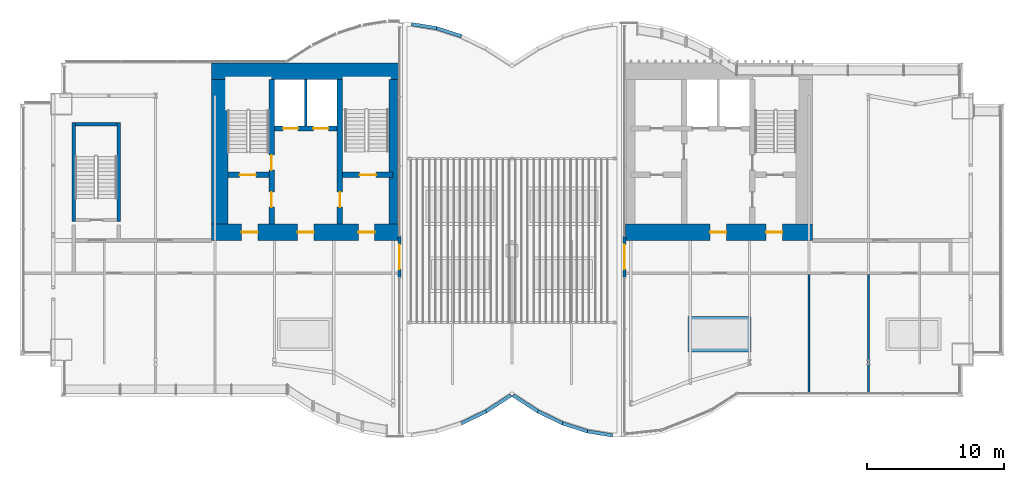
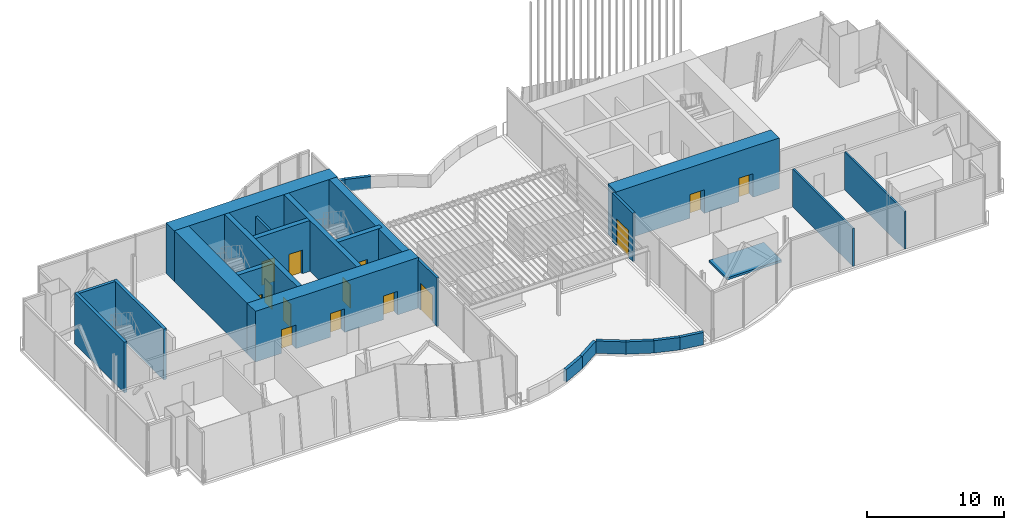
# One storey, part 12 of 18: 27 walls, 14 doors, 14 openings.
"""IFC4 building model written with IfcOpenShell, lengths in metres."""

from ifc_helpers import new_model, si_unit, direction, frame, frame_2d, origin, origin_2d, place, context, subcontext, project, spatial, rectangle, extrude, material, layer, layer_set, layer_usage, type_object, element, fill, save


model = new_model("IFC4")

# Units and contexts
model_context = context("Model", 3, precision=1e-05, world=origin(), true_north=direction((0.0, 1.0)))
body_context = subcontext(model_context, "Body", "Model", "MODEL_VIEW")
ifc_project = project(units=[si_unit("LENGTHUNIT", "METRE"), si_unit("AREAUNIT", "SQUARE_METRE"), si_unit("VOLUMEUNIT", "CUBIC_METRE"), si_unit("PLANEANGLEUNIT", "RADIAN"), si_unit("MASSUNIT", "GRAM", prefix="KILO")], contexts=[model_context])

# Site, building, storey
site_placement = place(None, origin())
site = spatial("IfcSite", under=ifc_project, at=site_placement, CompositionType="ELEMENT")
building_placement = place(site_placement, origin())
building = spatial("IfcBuilding", under=site, at=building_placement, Name="Bicima Exchange Tower", CompositionType="ELEMENT")
storey_placement = place(building_placement, frame((0.0, 0.0, 347.89990234375)))
storey = spatial("IfcBuildingStorey", under=building, at=storey_placement, Name="L78", CompositionType="ELEMENT", Elevation=347.89990234375)

# Wall, opening, door
ifc_material_1 = material(Name="Concrete C40/50", Category="concrete")
ifc_layer_1 = layer(ifc_material_1, 0.2)
ifc_layer_set_1 = layer_set([ifc_layer_1], Name="Concrete C40/50")
ifc_layer_usage_1 = layer_usage(ifc_layer_set_1, "AXIS2", "POSITIVE", -0.1)
wall_type_1 = type_object("IfcWallType", Name="Entrance frame wall 200", PredefinedType="STANDARD", material=ifc_layer_set_1)
wall_1_placement = place(storey_placement, frame((-8.22998046875, -12.699951171875, 0.0), z_axis=(0.0, 0.0, 1.0), x_axis=(0.0, -1.0, 0.0)))
wall_1 = element("IfcWall", 1, at=wall_1_placement, inside=storey, type_object=wall_type_1, material=ifc_layer_usage_1, Name="Roof terrace door frame wall L78", PredefinedType="STANDARD", context=body_context, shape_type="SweptSolid", body=[
    extrude(rectangle(XDim=3.0, YDim=0.199951171875, at=frame_2d((1.5, 0.0))), origin(), (0.0, 0.0, 1.0), 4.300048828125),
])
opening_1_placement = place(wall_1_placement, frame((0.60009765625, 0.0, 0.0)))
opening_1 = element("IfcOpeningElement", 2, at=opening_1_placement, cuts=wall_1, Name="Opening DX4", PredefinedType="OPENING", context=body_context, shape_type="SweptSolid", body=[
    extrude(rectangle(XDim=1.800048828125, YDim=2.39990234375, at=frame_2d((0.89990234375, 1.199951171875))), frame((0.0, 0.11181640625, 0.0), z_axis=(0.0, -1.0, 0.0), x_axis=(1.0, 0.0, 0.0)), (0.0, 0.0, 1.0), 0.223876953125),
])
ifc_material_2 = material(Name="Anodised bronze aluminium and bonded safety glass", Category="aluminium")
door_type_1 = type_object("IfcDoorType", Name="Roof terrace door, double leaf 1800 x 2400", OperationType="DOUBLE_DOOR_DOUBLE_SWING", PredefinedType="DOOR", material=ifc_material_2)
door_1_placement = place(opening_1_placement, origin())
door_1 = element("IfcDoor", 3, at=door_1_placement, inside=storey, type_object=door_type_1, Name="Roof terrace door door L78", OperationType="SINGLE_SWING_LEFT", OverallHeight=2.39990234375, OverallWidth=1.800048828125, PredefinedType="DOOR", context=body_context, shape_type="SweptSolid", body=[
    extrude(rectangle(XDim=1.800048828125, YDim=2.39990234375, at=frame_2d((0.89990234375, 1.199951171875))), frame((0.0, 0.02490234375, 0.0), z_axis=(0.0, -1.0, 0.0), x_axis=(1.0, 0.0, 0.0)), (0.0, 0.0, 1.0), 0.050048828125),
])
fill(opening_1, door_1)

wall_2_placement = place(storey_placement, frame((8.22998046875, -15.699951171875, 0.0), z_axis=(0.0, 0.0, 1.0), x_axis=(0.0, 1.0, 0.0)))
wall_2 = element("IfcWall", 4, at=wall_2_placement, inside=storey, type_object=wall_type_1, material=ifc_layer_usage_1, Name="Roof terrace door frame wall L78", PredefinedType="STANDARD", context=body_context, shape_type="SweptSolid", body=[
    extrude(rectangle(XDim=3.0, YDim=0.199951171875, at=frame_2d((1.5, 0.0))), origin(), (0.0, 0.0, 1.0), 4.300048828125),
])
opening_2_placement = place(wall_2_placement, frame((0.60009765625, 0.0, 0.0)))
opening_2 = element("IfcOpeningElement", 5, at=opening_2_placement, cuts=wall_2, Name="Opening DX4", PredefinedType="OPENING", context=body_context, shape_type="SweptSolid", body=[
    extrude(rectangle(XDim=1.800048828125, YDim=2.39990234375, at=frame_2d((0.89990234375, 1.199951171875))), frame((0.0, 0.11181640625, 0.0), z_axis=(0.0, -1.0, 0.0), x_axis=(1.0, 0.0, 0.0)), (0.0, 0.0, 1.0), 0.223876953125),
])
door_2_placement = place(opening_2_placement, origin())
door_2 = element("IfcDoor", 6, at=door_2_placement, inside=storey, type_object=door_type_1, Name="Roof terrace door door L78", OperationType="SINGLE_SWING_LEFT", OverallHeight=2.39990234375, OverallWidth=1.800048828125, PredefinedType="DOOR", context=body_context, shape_type="SweptSolid", body=[
    extrude(rectangle(XDim=1.800048828125, YDim=2.39990234375, at=frame_2d((0.89990234375, 1.199951171875))), frame((0.0, 0.02490234375, 0.0), z_axis=(0.0, -1.0, 0.0), x_axis=(1.0, 0.0, 0.0)), (0.0, 0.0, 1.0), 0.050048828125),
])
fill(opening_2, door_2)

# Walls
ifc_material_3 = material(Name="Gypsum board partition")
ifc_layer_2 = layer(ifc_material_3, 0.199951171875)
ifc_layer_set_2 = layer_set([ifc_layer_2], Name="Gypsum board partition")
wall_type_2 = type_object("IfcWallType", Name="Fire-rated gypsum partition 200 EI120", PredefinedType="PARTITIONING", material=ifc_layer_set_2)
wall_3_placement = place(storey_placement, frame((-15.10009765625, -4.60009765625, 0.0), z_axis=(0.0, 0.0, 1.0), x_axis=(0.0, 1.0, 0.0)))
element("IfcWall", 7, at=wall_3_placement, inside=storey, type_object=wall_type_2, Name="partition wall 8", PredefinedType="PARTITIONING", context=body_context, shape_type="SweptSolid", body=[
    extrude(rectangle(XDim=3.400146484375, YDim=0.199951171875, at=frame_2d((1.7001953125, 0.0))), origin(), (0.0, 0.0, 1.0), 3.368408203125),
])
ifc_layer_3 = layer(ifc_material_3, 0.14990234375)
ifc_layer_set_3 = layer_set([ifc_layer_3], Name="Gypsum board partition")
wall_type_3 = type_object("IfcWallType", Name="Gypsum partition 150", PredefinedType="PARTITIONING", material=ifc_layer_set_3)
for number, where, z_axis, x_axis, name in (
    (8, (21.75, -24.219970703125, 0.0), (0.0, 0.0, 1.0), (0.0, 1.0, 0.0), "partition wall 11"),
    (9, (26.10009765625, -24.219970703125, 0.0), (0.0, 0.0, 1.0), (0.0, 1.0, 0.0), "partition wall 12"),
):
    element("IfcWall", number, at=place(storey_placement, frame(where, z_axis=z_axis, x_axis=x_axis)), inside=storey, type_object=wall_type_3, Name=name, PredefinedType="PARTITIONING", context=body_context, shape_type="SweptSolid", body=[
        extrude(rectangle(XDim=8.719970703125, YDim=0.14990234375, at=frame_2d((4.35986328125, 0.0))), origin(), (0.0, 0.0, 1.0), 3.368408203125),
    ])
ifc_layer_4 = layer(ifc_material_1, 0.2)
ifc_layer_set_4 = layer_set([ifc_layer_4], Name="Concrete C40/50")
wall_type_4 = type_object("IfcWallType", Name="Plant plinth 200", PredefinedType="USERDEFINED", material=ifc_layer_set_4)
wall_4_placement = place(storey_placement, frame((15.18994140625, -19.860107421875, 0.0), z_axis=(0.0, 0.0, 1.0), x_axis=(1.0, 0.0, 0.0)))
element("IfcWall", 10, at=wall_4_placement, inside=storey, type_object=wall_type_4, Name="Plant plinth Air handling unit", ObjectType="PLINTH", PredefinedType="USERDEFINED", context=body_context, shape_type="SweptSolid", body=[
    extrude(rectangle(XDim=4.60009765625, YDim=2.60009765625, at=origin_2d()), origin(), (0.0, 0.0, 1.0), 0.199951171875),
])
ifc_layer_5 = layer(ifc_material_1, 1.199951171875)
ifc_layer_set_5 = layer_set([ifc_layer_5], Name="Concrete C40/50")
wall_type_5 = type_object("IfcWallType", Name="RC core wall 1200 C40/50", PredefinedType="SHEAR", material=ifc_layer_set_5)
wall_5_placement = place(storey_placement, frame((-22.0, -0.60009765625, 0.0), z_axis=(0.0, 0.0, 1.0), x_axis=(1.0, 0.0, 0.0)))
element("IfcWall", 11, at=wall_5_placement, inside=storey, type_object=wall_type_5, Name="Core wall north-W", PredefinedType="SHEAR", context=body_context, shape_type="SweptSolid", body=[
    extrude(rectangle(XDim=13.699951171875, YDim=1.199951171875, at=frame_2d((6.85009765625, 0.0))), origin(), (0.0, 0.0, 1.0), 4.5),
])

# Wall, openings, doors
wall_6_placement = place(storey_placement, frame((-22.0, -12.39990234375, 0.0), z_axis=(0.0, 0.0, 1.0), x_axis=(1.0, 0.0, 0.0)))
wall_6 = element("IfcWall", 12, at=wall_6_placement, inside=storey, type_object=wall_type_5, Name="Core wall south-W", PredefinedType="SHEAR", context=body_context, shape_type="SweptSolid", body=[
    extrude(rectangle(XDim=13.699951171875, YDim=1.199951171875, at=frame_2d((6.85009765625, 0.0))), origin(), (0.0, 0.0, 1.0), 4.5),
])
opening_3_placement = place(wall_6_placement, frame((2.199951171875, 0.0, 0.0)))
opening_3 = element("IfcOpeningElement", 13, at=opening_3_placement, cuts=wall_6, Name="Opening L78-C12", PredefinedType="OPENING", context=body_context, shape_type="SweptSolid", body=[
    extrude(rectangle(XDim=1.199951171875, YDim=2.10009765625, at=frame_2d((0.60009765625, 1.050048828125))), frame((0.0, 0.61181640625, 0.0), z_axis=(0.0, -1.0, 0.0), x_axis=(1.0, 0.0, 0.0)), (0.0, 0.0, 1.0), 1.223876953125),
])
opening_4_placement = place(wall_6_placement, frame((10.75, 0.0, 0.0)))
opening_4 = element("IfcOpeningElement", 14, at=opening_4_placement, cuts=wall_6, Name="Opening L78-C14", PredefinedType="OPENING", context=body_context, shape_type="SweptSolid", body=[
    extrude(rectangle(XDim=1.199951171875, YDim=2.10009765625, at=frame_2d((0.60009765625, 1.050048828125))), frame((0.0, 0.61181640625, 0.0), z_axis=(0.0, -1.0, 0.0), x_axis=(1.0, 0.0, 0.0)), (0.0, 0.0, 1.0), 1.223876953125),
])
opening_5_placement = place(wall_6_placement, frame((6.300048828125, 0.0, 0.0)))
opening_5 = element("IfcOpeningElement", 15, at=opening_5_placement, cuts=wall_6, Name="Opening L78-C15", PredefinedType="OPENING", context=body_context, shape_type="SweptSolid", body=[
    extrude(rectangle(XDim=1.199951171875, YDim=2.10009765625, at=frame_2d((0.60009765625, 1.050048828125))), frame((0.0, 0.61181640625, 0.0), z_axis=(0.0, -1.0, 0.0), x_axis=(1.0, 0.0, 0.0)), (0.0, 0.0, 1.0), 1.223876953125),
])
ifc_material_4 = material(Name="Steel fire door leaf", Category="steel")
door_type_2 = type_object("IfcDoorType", Name="Door 1200 swing FD60S", OperationType="SINGLE_SWING_LEFT", PredefinedType="DOOR", material=ifc_material_4)
door_3_placement = place(opening_3_placement, frame((1.199951171875, 0.0, 0.0), z_axis=(0.0, 0.0, 1.0), x_axis=(-1.0, 0.0, 0.0)))
door_3 = element("IfcDoor", 16, at=door_3_placement, inside=storey, type_object=door_type_2, Name="Core door", OperationType="SINGLE_SWING_RIGHT", OverallHeight=2.10009765625, OverallWidth=1.199951171875, PredefinedType="DOOR", context=body_context, shape_type="SweptSolid", body=[
    extrude(rectangle(XDim=1.199951171875, YDim=2.10009765625, at=frame_2d((0.60009765625, 1.050048828125))), frame((0.0, 0.02490234375, 0.0), z_axis=(0.0, -1.0, 0.0), x_axis=(1.0, 0.0, 0.0)), (0.0, 0.0, 1.0), 0.050048828125),
])
fill(opening_3, door_3)
door_4_placement = place(opening_4_placement, frame((1.199951171875, 0.0, 0.0), z_axis=(0.0, 0.0, 1.0), x_axis=(-1.0, 0.0, 0.0)))
door_4 = element("IfcDoor", 17, at=door_4_placement, inside=storey, type_object=door_type_2, Name="Core door", OperationType="SINGLE_SWING_RIGHT", OverallHeight=2.10009765625, OverallWidth=1.199951171875, PredefinedType="DOOR", context=body_context, shape_type="SweptSolid", body=[
    extrude(rectangle(XDim=1.199951171875, YDim=2.10009765625, at=frame_2d((0.60009765625, 1.050048828125))), frame((0.0, 0.02490234375, 0.0), z_axis=(0.0, -1.0, 0.0), x_axis=(1.0, 0.0, 0.0)), (0.0, 0.0, 1.0), 0.050048828125),
])
fill(opening_4, door_4)
door_5_placement = place(opening_5_placement, frame((1.199951171875, 0.0, 0.0), z_axis=(0.0, 0.0, 1.0), x_axis=(-1.0, 0.0, 0.0)))
door_5 = element("IfcDoor", 18, at=door_5_placement, inside=storey, type_object=door_type_2, Name="Core door", OperationType="SINGLE_SWING_RIGHT", OverallHeight=2.10009765625, OverallWidth=1.199951171875, PredefinedType="DOOR", context=body_context, shape_type="SweptSolid", body=[
    extrude(rectangle(XDim=1.199951171875, YDim=2.10009765625, at=frame_2d((0.60009765625, 1.050048828125))), frame((0.0, 0.02490234375, 0.0), z_axis=(0.0, -1.0, 0.0), x_axis=(1.0, 0.0, 0.0)), (0.0, 0.0, 1.0), 0.050048828125),
])
fill(opening_5, door_5)

# Wall
wall_7_placement = place(storey_placement, frame((-21.39990234375, -11.800048828125, 0.0), z_axis=(0.0, 0.0, 1.0), x_axis=(0.0, 1.0, 0.0)))
element("IfcWall", 19, at=wall_7_placement, inside=storey, type_object=wall_type_5, Name="Core wall outer-W", PredefinedType="SHEAR", context=body_context, shape_type="SweptSolid", body=[
    extrude(rectangle(XDim=10.60009765625, YDim=1.199951171875, at=frame_2d((5.300048828125, 0.0))), origin(), (0.0, 0.0, 1.0), 4.5),
])

# Wall, openings, doors
wall_8_placement = place(storey_placement, frame((8.300048828125, -12.39990234375, 0.0), z_axis=(0.0, 0.0, 1.0), x_axis=(1.0, 0.0, 0.0)))
wall_8 = element("IfcWall", 20, at=wall_8_placement, inside=storey, type_object=wall_type_5, Name="Core wall south-E", PredefinedType="SHEAR", context=body_context, shape_type="SweptSolid", body=[
    extrude(rectangle(XDim=13.699951171875, YDim=1.199951171875, at=frame_2d((6.85009765625, 0.0))), origin(), (0.0, 0.0, 1.0), 4.5),
])
opening_6_placement = place(wall_8_placement, frame((10.300048828125, 0.0, 0.0)))
opening_6 = element("IfcOpeningElement", 21, at=opening_6_placement, cuts=wall_8, Name="Opening L78-C13", PredefinedType="OPENING", context=body_context, shape_type="SweptSolid", body=[
    extrude(rectangle(XDim=1.199951171875, YDim=2.10009765625, at=frame_2d((0.60009765625, 1.050048828125))), frame((0.0, 0.61181640625, 0.0), z_axis=(0.0, -1.0, 0.0), x_axis=(1.0, 0.0, 0.0)), (0.0, 0.0, 1.0), 1.223876953125),
])
opening_7_placement = place(wall_8_placement, frame((6.199951171875, 0.0, 0.0)))
opening_7 = element("IfcOpeningElement", 22, at=opening_7_placement, cuts=wall_8, Name="Opening L78-C16", PredefinedType="OPENING", context=body_context, shape_type="SweptSolid", body=[
    extrude(rectangle(XDim=1.199951171875, YDim=2.10009765625, at=frame_2d((0.60009765625, 1.050048828125))), frame((0.0, 0.61181640625, 0.0), z_axis=(0.0, -1.0, 0.0), x_axis=(1.0, 0.0, 0.0)), (0.0, 0.0, 1.0), 1.223876953125),
])
door_6_placement = place(opening_6_placement, frame((1.199951171875, 0.0, 0.0), z_axis=(0.0, 0.0, 1.0), x_axis=(-1.0, 0.0, 0.0)))
door_6 = element("IfcDoor", 23, at=door_6_placement, inside=storey, type_object=door_type_2, Name="Core door", OperationType="SINGLE_SWING_RIGHT", OverallHeight=2.10009765625, OverallWidth=1.199951171875, PredefinedType="DOOR", context=body_context, shape_type="SweptSolid", body=[
    extrude(rectangle(XDim=1.199951171875, YDim=2.10009765625, at=frame_2d((0.60009765625, 1.050048828125))), frame((0.0, 0.02490234375, 0.0), z_axis=(0.0, -1.0, 0.0), x_axis=(1.0, 0.0, 0.0)), (0.0, 0.0, 1.0), 0.050048828125),
])
fill(opening_6, door_6)
door_7_placement = place(opening_7_placement, frame((1.199951171875, 0.0, 0.0), z_axis=(0.0, 0.0, 1.0), x_axis=(-1.0, 0.0, 0.0)))
door_7 = element("IfcDoor", 24, at=door_7_placement, inside=storey, type_object=door_type_2, Name="Core door", OperationType="SINGLE_SWING_RIGHT", OverallHeight=2.10009765625, OverallWidth=1.199951171875, PredefinedType="DOOR", context=body_context, shape_type="SweptSolid", body=[
    extrude(rectangle(XDim=1.199951171875, YDim=2.10009765625, at=frame_2d((0.60009765625, 1.050048828125))), frame((0.0, 0.02490234375, 0.0), z_axis=(0.0, -1.0, 0.0), x_axis=(1.0, 0.0, 0.0)), (0.0, 0.0, 1.0), 0.050048828125),
])
fill(opening_7, door_7)

ifc_layer_6 = layer(ifc_material_1, 0.39990234375)
ifc_layer_set_6 = layer_set([ifc_layer_6], Name="Concrete C40/50")
wall_type_6 = type_object("IfcWallType", Name="RC core wall 400 C40/50", PredefinedType="SHEAR", material=ifc_layer_set_6)
wall_9_placement = place(storey_placement, frame((-17.39990234375, -4.800048828125, 0.0), z_axis=(0.0, 0.0, 1.0), x_axis=(1.0, 0.0, 0.0)))
wall_9 = element("IfcWall", 25, at=wall_9_placement, inside=storey, type_object=wall_type_6, Name="shear wall 5", PredefinedType="SHEAR", context=body_context, shape_type="SweptSolid", body=[
    extrude(rectangle(XDim=4.599853515625, YDim=0.39990234375, at=frame_2d((2.2998046875, 0.0))), origin(), (0.0, 0.0, 1.0), 4.5),
])
opening_8_placement = place(wall_9_placement, frame((0.64990234375, 0.0, 0.0)))
opening_8 = element("IfcOpeningElement", 26, at=opening_8_placement, cuts=wall_9, Name="Opening LD-FF1-L78", PredefinedType="OPENING", context=body_context, shape_type="SweptSolid", body=[
    extrude(rectangle(XDim=1.10009765625, YDim=2.10009765625, at=frame_2d((0.550048828125, 1.050048828125))), frame((0.0, 0.2119140625, 0.0), z_axis=(0.0, -1.0, 0.0), x_axis=(1.0, 0.0, 0.0)), (0.0, 0.0, 1.0), 0.423828125),
])
opening_9_placement = place(wall_9_placement, frame((2.85009765625, 0.0, 0.0)))
opening_9 = element("IfcOpeningElement", 27, at=opening_9_placement, cuts=wall_9, Name="Opening LD-FF3-L78", PredefinedType="OPENING", context=body_context, shape_type="SweptSolid", body=[
    extrude(rectangle(XDim=1.10009765625, YDim=2.10009765625, at=frame_2d((0.550048828125, 1.050048828125))), frame((0.0, 0.2119140625, 0.0), z_axis=(0.0, -1.0, 0.0), x_axis=(1.0, 0.0, 0.0)), (0.0, 0.0, 1.0), 0.423828125),
])
ifc_material_5 = material(Name="Stainless steel", Category="steel")
door_type_3 = type_object("IfcDoorType", Name="Lift landing door 1100 sliding", OperationType="DOUBLE_DOOR_SLIDING", PredefinedType="DOOR", material=ifc_material_5)
door_8_placement = place(opening_8_placement, origin())
door_8 = element("IfcDoor", 28, at=door_8_placement, inside=storey, type_object=door_type_3, Name="Lift landing door FF1", OperationType="DOUBLE_DOOR_SLIDING", OverallHeight=2.10009765625, OverallWidth=1.10009765625, PredefinedType="DOOR", context=body_context, shape_type="SweptSolid", body=[
    extrude(rectangle(XDim=1.10009765625, YDim=2.10009765625, at=frame_2d((0.550048828125, 1.050048828125))), frame((0.0, 0.02490234375, 0.0), z_axis=(0.0, -1.0, 0.0), x_axis=(1.0, 0.0, 0.0)), (0.0, 0.0, 1.0), 0.050048828125),
])
fill(opening_8, door_8)
door_9_placement = place(opening_9_placement, origin())
door_9 = element("IfcDoor", 29, at=door_9_placement, inside=storey, type_object=door_type_3, Name="Lift landing door FF3", OperationType="DOUBLE_DOOR_SLIDING", OverallHeight=2.10009765625, OverallWidth=1.10009765625, PredefinedType="DOOR", context=body_context, shape_type="SweptSolid", body=[
    extrude(rectangle(XDim=1.10009765625, YDim=2.10009765625, at=frame_2d((0.550048828125, 1.050048828125))), frame((0.0, 0.02490234375, 0.0), z_axis=(0.0, -1.0, 0.0), x_axis=(1.0, 0.0, 0.0)), (0.0, 0.0, 1.0), 0.050048828125),
])
fill(opening_9, door_9)

# Wall, opening, door
ifc_material_6 = material(Name="Concrete C50/60", Category="concrete")
ifc_layer_7 = layer(ifc_material_6, 0.39990234375)
ifc_layer_set_7 = layer_set([ifc_layer_7], Name="Concrete C50/60")
wall_type_7 = type_object("IfcWallType", Name="RC core wall 400 C50/60", PredefinedType="SHEAR", material=ifc_layer_set_7)
wall_10_placement = place(storey_placement, frame((-20.800048828125, -8.199951171875, 0.0), z_axis=(0.0, 0.0, 1.0), x_axis=(1.0, 0.0, 0.0)))
wall_10 = element("IfcWall", 30, at=wall_10_placement, inside=storey, type_object=wall_type_7, Name="stair wall 1", PredefinedType="SHEAR", context=body_context, shape_type="SweptSolid", body=[
    extrude(rectangle(XDim=3.0, YDim=0.39990234375, at=frame_2d((1.5, 0.0))), origin(), (0.0, 0.0, 1.0), 4.5),
])
opening_10_placement = place(wall_10_placement, frame((0.85009765625, 0.0, 0.0)))
opening_10 = element("IfcOpeningElement", 31, at=opening_10_placement, cuts=wall_10, Name="Opening L78-C01", PredefinedType="OPENING", context=body_context, shape_type="SweptSolid", body=[
    extrude(rectangle(XDim=1.199951171875, YDim=2.10009765625, at=frame_2d((0.60009765625, 1.050048828125))), frame((0.0, 0.2119140625, 0.0), z_axis=(0.0, -1.0, 0.0), x_axis=(1.0, 0.0, 0.0)), (0.0, 0.0, 1.0), 0.423828125),
])
door_10_placement = place(opening_10_placement, origin())
door_10 = element("IfcDoor", 32, at=door_10_placement, inside=storey, type_object=door_type_2, Name="Core door", OperationType="SINGLE_SWING_LEFT", OverallHeight=2.10009765625, OverallWidth=1.199951171875, PredefinedType="DOOR", context=body_context, shape_type="SweptSolid", body=[
    extrude(rectangle(XDim=1.199951171875, YDim=2.10009765625, at=frame_2d((0.60009765625, 1.050048828125))), frame((0.0, 0.02490234375, 0.0), z_axis=(0.0, -1.0, 0.0), x_axis=(1.0, 0.0, 0.0)), (0.0, 0.0, 1.0), 0.050048828125),
])
fill(opening_10, door_10)

wall_11_placement = place(storey_placement, frame((-12.39990234375, -8.199951171875, 0.0), z_axis=(0.0, 0.0, 1.0), x_axis=(1.0, 0.0, 0.0)))
wall_11 = element("IfcWall", 33, at=wall_11_placement, inside=storey, type_object=wall_type_7, Name="stair wall 2", PredefinedType="SHEAR", context=body_context, shape_type="SweptSolid", body=[
    extrude(rectangle(XDim=3.699951171875, YDim=0.39990234375, at=frame_2d((1.85009765625, 0.0))), origin(), (0.0, 0.0, 1.0), 4.5),
])
opening_11_placement = place(wall_11_placement, frame((1.25, 0.0, 0.0)))
opening_11 = element("IfcOpeningElement", 34, at=opening_11_placement, cuts=wall_11, Name="Opening L78-C05", PredefinedType="OPENING", context=body_context, shape_type="SweptSolid", body=[
    extrude(rectangle(XDim=1.199951171875, YDim=2.10009765625, at=frame_2d((0.60009765625, 1.050048828125))), frame((0.0, 0.2119140625, 0.0), z_axis=(0.0, -1.0, 0.0), x_axis=(1.0, 0.0, 0.0)), (0.0, 0.0, 1.0), 0.423828125),
])
door_11_placement = place(opening_11_placement, origin())
door_11 = element("IfcDoor", 35, at=door_11_placement, inside=storey, type_object=door_type_2, Name="Core door", OperationType="SINGLE_SWING_LEFT", OverallHeight=2.10009765625, OverallWidth=1.199951171875, PredefinedType="DOOR", context=body_context, shape_type="SweptSolid", body=[
    extrude(rectangle(XDim=1.199951171875, YDim=2.10009765625, at=frame_2d((0.60009765625, 1.050048828125))), frame((0.0, 0.02490234375, 0.0), z_axis=(0.0, -1.0, 0.0), x_axis=(1.0, 0.0, 0.0)), (0.0, 0.0, 1.0), 0.050048828125),
])
fill(opening_11, door_11)

# Wall, openings, doors
wall_12_placement = place(storey_placement, frame((-17.60009765625, -11.800048828125, 0.0), z_axis=(0.0, 0.0, 1.0), x_axis=(0.0, 1.0, 0.0)))
wall_12 = element("IfcWall", 36, at=wall_12_placement, inside=storey, type_object=wall_type_7, Name="stair wall 7", PredefinedType="SHEAR", context=body_context, shape_type="SweptSolid", body=[
    extrude(rectangle(XDim=10.60009765625, YDim=0.39990234375, at=frame_2d((5.300048828125, 0.0))), origin(), (0.0, 0.0, 1.0), 4.5),
])
opening_12_placement = place(wall_12_placement, frame((1.25, 0.0, 0.0)))
opening_12 = element("IfcOpeningElement", 37, at=opening_12_placement, cuts=wall_12, Name="Opening L78-C02", PredefinedType="OPENING", context=body_context, shape_type="SweptSolid", body=[
    extrude(rectangle(XDim=1.10009765625, YDim=2.10009765625, at=frame_2d((0.550048828125, 1.050048828125))), frame((0.0, 0.2119140625, 0.0), z_axis=(0.0, -1.0, 0.0), x_axis=(1.0, 0.0, 0.0)), (0.0, 0.0, 1.0), 0.423828125),
])
opening_13_placement = place(wall_12_placement, frame((3.949951171875, 0.0, 0.0)))
opening_13 = element("IfcOpeningElement", 38, at=opening_13_placement, cuts=wall_12, Name="Opening L78-C07", PredefinedType="OPENING", context=body_context, shape_type="SweptSolid", body=[
    extrude(rectangle(XDim=1.10009765625, YDim=2.10009765625, at=frame_2d((0.550048828125, 1.050048828125))), frame((0.0, 0.2119140625, 0.0), z_axis=(0.0, -1.0, 0.0), x_axis=(1.0, 0.0, 0.0)), (0.0, 0.0, 1.0), 0.423828125),
])
door_type_4 = type_object("IfcDoorType", Name="Door 1100 swing FD60S", OperationType="SINGLE_SWING_LEFT", PredefinedType="DOOR", material=ifc_material_4)
door_12_placement = place(opening_12_placement, frame((1.10009765625, 0.0, 0.0), z_axis=(0.0, 0.0, 1.0), x_axis=(-1.0, 0.0, 0.0)))
door_12 = element("IfcDoor", 39, at=door_12_placement, inside=storey, type_object=door_type_4, Name="Core door", OperationType="SINGLE_SWING_LEFT", OverallHeight=2.10009765625, OverallWidth=1.10009765625, PredefinedType="DOOR", context=body_context, shape_type="SweptSolid", body=[
    extrude(rectangle(XDim=1.10009765625, YDim=2.10009765625, at=frame_2d((0.550048828125, 1.050048828125))), frame((0.0, 0.02490234375, 0.0), z_axis=(0.0, -1.0, 0.0), x_axis=(1.0, 0.0, 0.0)), (0.0, 0.0, 1.0), 0.050048828125),
])
fill(opening_12, door_12)
door_13_placement = place(opening_13_placement, frame((1.10009765625, 0.0, 0.0), z_axis=(0.0, 0.0, 1.0), x_axis=(-1.0, 0.0, 0.0)))
door_13 = element("IfcDoor", 40, at=door_13_placement, inside=storey, type_object=door_type_4, Name="Core door", OperationType="SINGLE_SWING_RIGHT", OverallHeight=2.10009765625, OverallWidth=1.10009765625, PredefinedType="DOOR", context=body_context, shape_type="SweptSolid", body=[
    extrude(rectangle(XDim=1.10009765625, YDim=2.10009765625, at=frame_2d((0.550048828125, 1.050048828125))), frame((0.0, 0.02490234375, 0.0), z_axis=(0.0, -1.0, 0.0), x_axis=(1.0, 0.0, 0.0)), (0.0, 0.0, 1.0), 0.050048828125),
])
fill(opening_13, door_13)

# Wall, opening, door
wall_13_placement = place(storey_placement, frame((-12.60009765625, -11.800048828125, 0.0), z_axis=(0.0, 0.0, 1.0), x_axis=(0.0, 1.0, 0.0)))
wall_13 = element("IfcWall", 41, at=wall_13_placement, inside=storey, type_object=wall_type_7, Name="stair wall 9", PredefinedType="SHEAR", context=body_context, shape_type="SweptSolid", body=[
    extrude(rectangle(XDim=10.60009765625, YDim=0.39990234375, at=frame_2d((5.300048828125, 0.0))), origin(), (0.0, 0.0, 1.0), 4.5),
])
opening_14_placement = place(wall_13_placement, frame((1.25, 0.0, 0.0)))
opening_14 = element("IfcOpeningElement", 42, at=opening_14_placement, cuts=wall_13, Name="Opening L78-C06", PredefinedType="OPENING", context=body_context, shape_type="SweptSolid", body=[
    extrude(rectangle(XDim=1.10009765625, YDim=2.10009765625, at=frame_2d((0.550048828125, 1.050048828125))), frame((0.0, 0.2119140625, 0.0), z_axis=(0.0, -1.0, 0.0), x_axis=(1.0, 0.0, 0.0)), (0.0, 0.0, 1.0), 0.423828125),
])
door_14_placement = place(opening_14_placement, origin())
door_14 = element("IfcDoor", 43, at=door_14_placement, inside=storey, type_object=door_type_4, Name="Core door", OperationType="SINGLE_SWING_RIGHT", OverallHeight=2.10009765625, OverallWidth=1.10009765625, PredefinedType="DOOR", context=body_context, shape_type="SweptSolid", body=[
    extrude(rectangle(XDim=1.10009765625, YDim=2.10009765625, at=frame_2d((0.550048828125, 1.050048828125))), frame((0.0, 0.02490234375, 0.0), z_axis=(0.0, -1.0, 0.0), x_axis=(1.0, 0.0, 0.0)), (0.0, 0.0, 1.0), 0.050048828125),
])
fill(opening_14, door_14)

# Walls
ifc_layer_8 = layer(ifc_material_1, 0.60009765625)
ifc_layer_set_8 = layer_set([ifc_layer_8], Name="Concrete C40/50")
wall_type_8 = type_object("IfcWallType", Name="RC core wall 600 C40/50", PredefinedType="SHEAR", material=ifc_layer_set_8)
wall_14_placement = place(storey_placement, frame((-8.699951171875, -11.800048828125, 0.0), z_axis=(0.0, 0.0, 1.0), x_axis=(0.0, 1.0, 0.0)))
element("IfcWall", 44, at=wall_14_placement, inside=storey, type_object=wall_type_8, Name="Core wall close-W", PredefinedType="SHEAR", context=body_context, shape_type="SweptSolid", body=[
    extrude(rectangle(XDim=10.60009765625, YDim=0.60009765625, at=frame_2d((5.300048828125, 0.0))), origin(), (0.0, 0.0, 1.0), 4.5),
])
ifc_layer_9 = layer(ifc_material_6, 0.25)
ifc_layer_set_9 = layer_set([ifc_layer_9], Name="Concrete C50/60")
wall_type_9 = type_object("IfcWallType", Name="RC stair enclosure wall 250 C50/60", PredefinedType="SHEAR", material=ifc_layer_set_9)
for number, where, z_axis, x_axis, name in (
    (45, (-32.10009765625, -11.625, 0.0), (0.0, 0.0, 1.0), (0.0, 1.0, 0.0), "West end exit stair wall W"),
    (46, (-28.800048828125, -11.625, 0.0), (0.0, 0.0, 1.0), (0.0, 1.0, 0.0), "West end exit stair wall E"),
):
    element("IfcWall", number, at=place(storey_placement, frame(where, z_axis=z_axis, x_axis=x_axis)), inside=storey, type_object=wall_type_9, Name=name, PredefinedType="SHEAR", context=body_context, shape_type="SweptSolid", body=[
        extrude(rectangle(XDim=7.25, YDim=0.25, at=frame_2d((3.625, 0.0))), origin(), (0.0, 0.0, 1.0), 4.5),
    ])
wall_15_placement = place(storey_placement, frame((-31.97509765625, -4.5, 0.0), z_axis=(0.0, 0.0, 1.0), x_axis=(1.0, 0.0, 0.0)))
element("IfcWall", 47, at=wall_15_placement, inside=storey, type_object=wall_type_9, Name="West end exit stair wall N", PredefinedType="SHEAR", context=body_context, shape_type="SweptSolid", body=[
    extrude(rectangle(XDim=3.050048828125, YDim=0.25, at=frame_2d((1.52490234375, 0.0))), origin(), (0.0, 0.0, 1.0), 4.5),
])
ifc_layer_10 = layer(ifc_material_1, 0.25)
ifc_layer_set_10 = layer_set([ifc_layer_10], Name="Concrete C40/50")
ifc_layer_usage_2 = layer_usage(ifc_layer_set_10, "AXIS2", "POSITIVE", -0.125)
wall_type_10 = type_object("IfcWallType", Name="Roof parapet 250", PredefinedType="PARAPET", material=ifc_layer_set_10)
wall_16_placement = place(storey_placement, frame((-3.705078125, 1.955078125, 0.0), z_axis=(0.0, 0.0, 1.0), x_axis=(-0.951495806175, 0.307661714928, 0.0)))
element("IfcWall", 48, at=wall_16_placement, inside=storey, type_object=wall_type_10, material=ifc_layer_usage_2, Name="Roof parapet 10", PredefinedType="PARAPET", context=body_context, shape_type="SweptSolid", body=[
    extrude(rectangle(XDim=1.9267578125, YDim=0.25, at=frame_2d((0.96337890625, 0.0))), origin(), (0.0, 0.0, 1.0), 1.10009765625),
])
wall_17_placement = place(storey_placement, frame((-5.52001953125, 2.543212890625, 0.0), z_axis=(0.0, 0.0, 1.0), x_axis=(-0.987181718931, 0.159600293885, 0.0)))
element("IfcWall", 49, at=wall_17_placement, inside=storey, type_object=wall_type_10, material=ifc_layer_usage_2, Name="Roof parapet 11", PredefinedType="PARAPET", context=body_context, shape_type="SweptSolid", body=[
    extrude(rectangle(XDim=1.857177734375, YDim=0.25, at=frame_2d((0.9287109375, 0.0))), origin(), (0.0, 0.0, 1.0), 1.10009765625),
])
wall_18_placement = place(storey_placement, frame((-3.72119140625, -26.3935546875, 0.0), z_axis=(0.0, 0.0, 1.0), x_axis=(0.89982408427, 0.436252928206, 0.0)))
element("IfcWall", 50, at=wall_18_placement, inside=storey, type_object=wall_type_10, material=ifc_layer_usage_2, Name="Roof parapet 17", PredefinedType="PARAPET", context=body_context, shape_type="SweptSolid", body=[
    extrude(rectangle(XDim=2.03759765625, YDim=0.25, at=frame_2d((1.018798828125, 0.0))), origin(), (0.0, 0.0, 1.0), 1.10009765625),
])
for number, where, z_axis, x_axis, name in (
    (51, (-1.901123046875, -25.51220703125, 0.0), (0.0, 0.0, 1.0), (0.839762132006, 0.542954474749, 0.0), "Roof parapet 18"),
    (52, (0.06787109375, -24.326904296875, 0.0), (0.0, 0.0, 1.0), (0.839762132006, -0.542954474749, 0.0), "Roof parapet 19"),
):
    element("IfcWall", number, at=place(storey_placement, frame(where, z_axis=z_axis, x_axis=x_axis)), inside=storey, type_object=wall_type_10, material=ifc_layer_usage_2, Name=name, PredefinedType="PARAPET", context=body_context, shape_type="SweptSolid", body=[
        extrude(rectangle(XDim=2.18310546875, YDim=0.25, at=frame_2d((1.091552734375, 0.0))), origin(), (0.0, 0.0, 1.0), 1.10009765625),
    ])
wall_19_placement = place(storey_placement, frame((1.8876953125, -25.504638671875, 0.0), z_axis=(0.0, 0.0, 1.0), x_axis=(0.89982408427, -0.436252928206, 0.0)))
element("IfcWall", 53, at=wall_19_placement, inside=storey, type_object=wall_type_10, material=ifc_layer_usage_2, Name="Roof parapet 20", PredefinedType="PARAPET", context=body_context, shape_type="SweptSolid", body=[
    extrude(rectangle(XDim=2.03759765625, YDim=0.25, at=frame_2d((1.018798828125, 0.0))), origin(), (0.0, 0.0, 1.0), 1.10009765625),
])
wall_20_placement = place(storey_placement, frame((3.705078125, -26.38720703125, 0.0), z_axis=(0.0, 0.0, 1.0), x_axis=(0.951532894827, -0.30754698838, 0.0)))
element("IfcWall", 54, at=wall_20_placement, inside=storey, type_object=wall_type_10, material=ifc_layer_usage_2, Name="Roof parapet 21", PredefinedType="PARAPET", context=body_context, shape_type="SweptSolid", body=[
    extrude(rectangle(XDim=1.926513671875, YDim=0.25, at=frame_2d((0.96337890625, 0.0))), origin(), (0.0, 0.0, 1.0), 1.10009765625),
])
wall_21_placement = place(storey_placement, frame((5.52001953125, -26.975341796875, 0.0), z_axis=(0.0, 0.0, 1.0), x_axis=(0.987202424184, -0.159472172132, 0.0)))
element("IfcWall", 55, at=wall_21_placement, inside=storey, type_object=wall_type_10, material=ifc_layer_usage_2, Name="Roof parapet 22", PredefinedType="PARAPET", context=body_context, shape_type="SweptSolid", body=[
    extrude(rectangle(XDim=1.85693359375, YDim=0.25, at=frame_2d((0.928466796875, 0.0))), origin(), (0.0, 0.0, 1.0), 1.10009765625),
])

save(model, "model.ifc")
